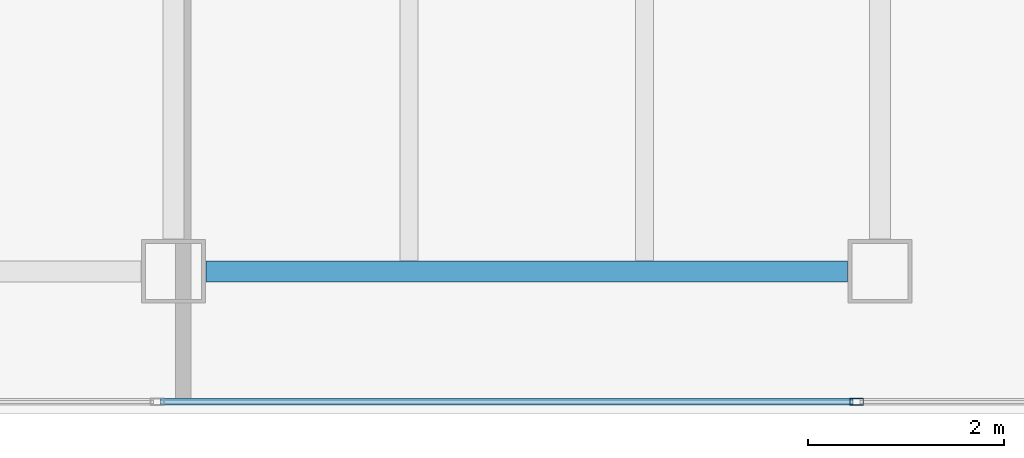
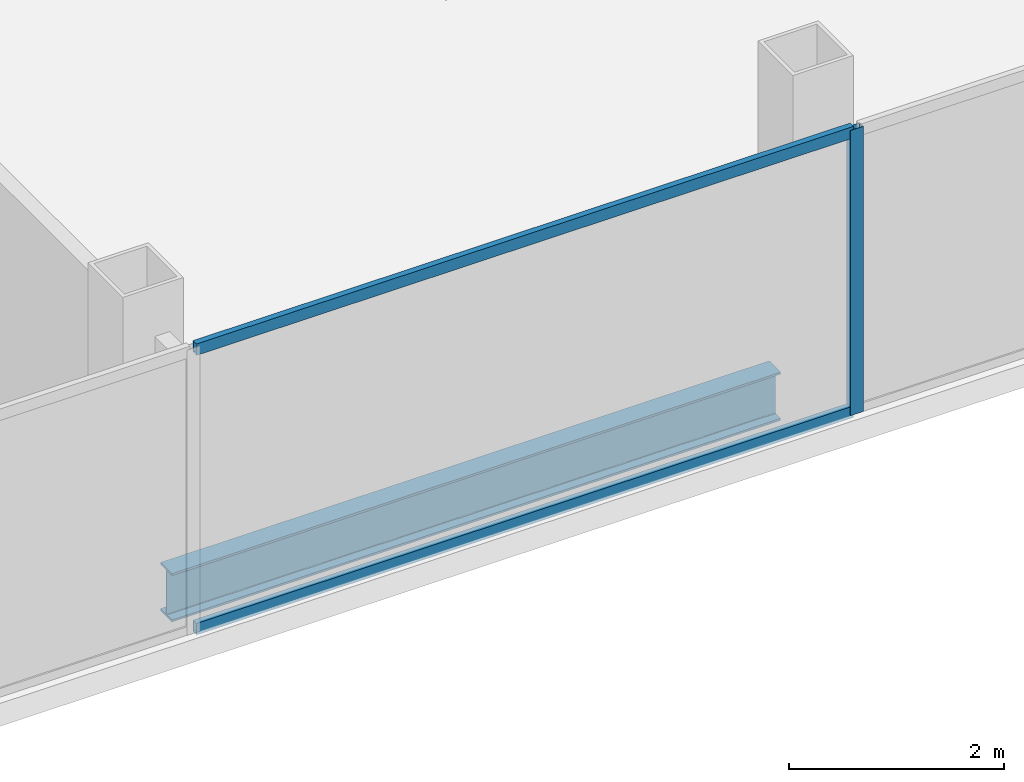
# One storey, part 12 of 23: 3 members, 1 beam, 1 element without a shape of its own.
"""IFC4 building model written with IfcOpenShell, lengths in metres."""

from ifc_helpers import new_model, si_unit, direction, frame, origin, origin_2d, place, context, subcontext, project, spatial, hollow_rectangle, i_section, extrude, material, material_profile, profile_set, type_object, element, aggregate, save


model = new_model("IFC4")

# Units and contexts
model_context = context("Model", 3, precision=1e-05, world=origin(), true_north=direction((0.0, 1.0)))
body_context = subcontext(model_context, "Body", "Model", "MODEL_VIEW")
ifc_project = project(units=[si_unit("LENGTHUNIT", "METRE"), si_unit("AREAUNIT", "SQUARE_METRE"), si_unit("VOLUMEUNIT", "CUBIC_METRE"), si_unit("PLANEANGLEUNIT", "RADIAN"), si_unit("MASSUNIT", "GRAM", prefix="KILO")], contexts=[model_context])

# Site, building, storey
site_placement = place(None, origin())
site = spatial("IfcSite", under=ifc_project, at=site_placement, CompositionType="ELEMENT")
building_placement = place(site_placement, origin())
building = spatial("IfcBuilding", under=site, at=building_placement, Name="Cobrela Telecom Tower", CompositionType="ELEMENT")
storey_placement = place(building_placement, frame((0.0, 0.0, 269.14990234375)))
storey = spatial("IfcBuildingStorey", under=building, at=storey_placement, Name="L70", CompositionType="ELEMENT", Elevation=269.14990234375)

# Beam
ifc_material_1 = material(Name="Steel ASTM A992 Grade 50", Category="steel")
ifc_material_profile_1 = material_profile(ifc_material_1, i_section(OverallWidth=0.212890625, OverallDepth=0.549072265625, WebThickness=0.0146484375, FlangeThickness=0.023681640625, FilletRadius=0.013916015625, at=origin_2d()), Name="W21X93")
ifc_profile_set_1 = profile_set([ifc_material_profile_1], Name="Steel ASTM A992 Grade 50")
beam_type = type_object("IfcBeamType", Name="BM-GIRD-08", PredefinedType="USERDEFINED", material=ifc_profile_set_1)
beam_placement = place(storey_placement, frame((29.1298828125, 7.85009765625, -0.534423828125), z_axis=(1.0, 0.0, 0.0), x_axis=(0.0, 1.0, 0.0)))
element("IfcBeam", 1, at=beam_placement, inside=storey, type_object=beam_type, Name="L70 Primary Girder X04", ObjectType="GIRDER", PredefinedType="USERDEFINED", context=body_context, shape_type="SweptSolid", body=[
    extrude(i_section(OverallWidth=0.212890625, OverallDepth=0.549072265625, WebThickness=0.0146484375, FlangeThickness=0.023681640625, FilletRadius=0.013916015625, at=origin_2d()), origin(), (0.0, 0.0, 1.0), 6.5400390625),
])

# Curtain wall, members
ifc_material_2 = material(Name="Anodized Bronze Aluminium 6063-T6", Category="aluminium")
curtain_wall_type = type_object("IfcCurtainWallType", Name="CW-SYS-OFF-HI", PredefinedType="USERDEFINED", material=ifc_material_2)
curtain_wall_placement = place(storey_placement, origin())
curtain_wall = element("IfcCurtainWall", 2, at=curtain_wall_placement, inside=storey, type_object=curtain_wall_type, Name="L70 Unitised Bronze Curtain Wall 15", ObjectType="UNITISED CURTAIN WALL", PredefinedType="USERDEFINED")
ifc_material_profile_2 = material_profile(ifc_material_2, hollow_rectangle(XDim=0.070068359375, YDim=0.139892578125, WallThickness=0.00390625, at=origin_2d()), Name="ALU 70x140x4")
ifc_profile_set_2 = profile_set([ifc_material_profile_2], Name="Anodized Bronze Aluminium 6063-T6")
member_type_1 = type_object("IfcMemberType", Name="CW-SYS-OFF-HI-MUL", PredefinedType="MULLION", material=ifc_profile_set_2)
member_1_placement = place(storey_placement, frame((35.76171875, 6.52001953125, 0.0), z_axis=(0.0, 0.0, 1.0), x_axis=(0.0, -1.0, 0.0)))
member_1 = element("IfcMember", 3, at=member_1_placement, type_object=member_type_1, Name="CW-OFF-HI mullion 2", PredefinedType="MULLION", context=body_context, shape_type="SweptSolid", body=[
    extrude(hollow_rectangle(XDim=0.070068359375, YDim=0.139892578125, WallThickness=0.00390625, at=origin_2d()), origin(), (0.0, 0.0, 1.0), 3.239990234375),
])
ifc_material_profile_3 = material_profile(ifc_material_2, hollow_rectangle(XDim=0.06494140625, YDim=0.1298828125, WallThickness=0.00390625, at=origin_2d()), Name="ALU 65x130x4")
ifc_profile_set_3 = profile_set([ifc_material_profile_3], Name="Anodized Bronze Aluminium 6063-T6")
member_type_2 = type_object("IfcMemberType", Name="CW-SYS-OFF-HI-TRN", PredefinedType="USERDEFINED", material=ifc_profile_set_3)
member_2_placement = place(storey_placement, frame((35.7265625, 6.52001953125, 0.03271484375), z_axis=(-1.0, 0.0, 0.0), x_axis=(0.0, -1.0, 0.0)))
member_2 = element("IfcMember", 4, at=member_2_placement, type_object=member_type_2, Name="CW-OFF-HI transom 2.1", ObjectType="TRANSOM", PredefinedType="USERDEFINED", context=body_context, shape_type="SweptSolid", body=[
    extrude(hollow_rectangle(XDim=0.06494140625, YDim=0.1298828125, WallThickness=0.00390625, at=origin_2d()), origin(), (0.0, 0.0, 1.0), 7.058349609375),
])
member_3_placement = place(storey_placement, frame((35.7265625, 6.52001953125, 3.20751953125), z_axis=(-1.0, 0.0, 0.0), x_axis=(0.0, -1.0, 0.0)))
member_3 = element("IfcMember", 5, at=member_3_placement, type_object=member_type_2, Name="CW-OFF-HI transom 2.2", ObjectType="TRANSOM", PredefinedType="USERDEFINED", context=body_context, shape_type="SweptSolid", body=[
    extrude(hollow_rectangle(XDim=0.06494140625, YDim=0.1298828125, WallThickness=0.00390625, at=origin_2d()), origin(), (0.0, 0.0, 1.0), 7.058349609375),
])
aggregate(curtain_wall, [member_1, member_2, member_3])

save(model, "model.ifc")
